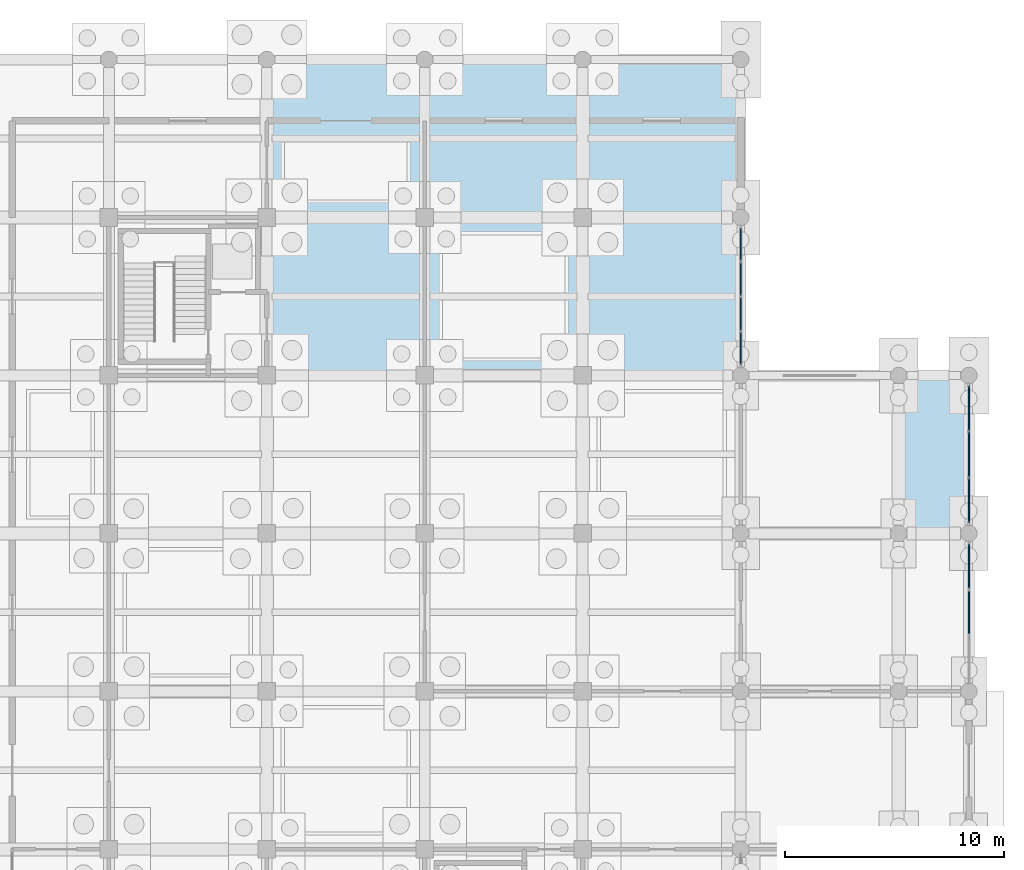
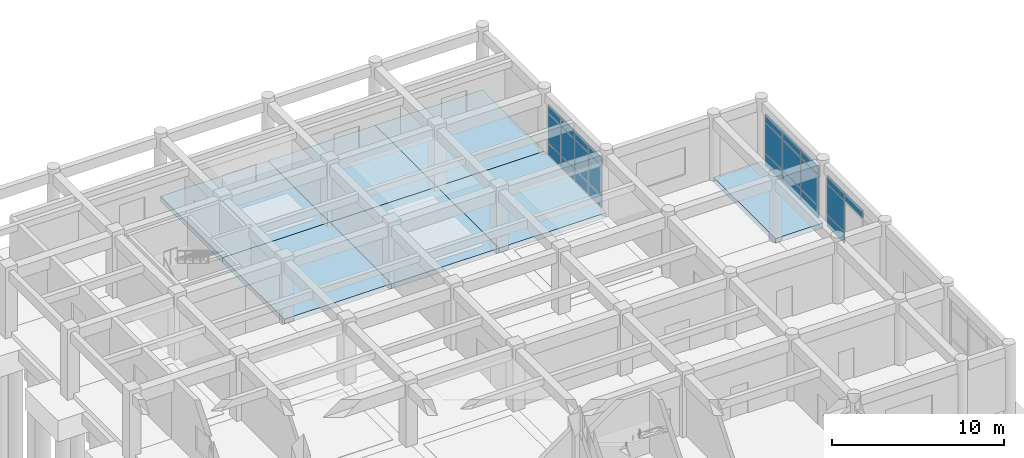
# One storey, part 52 of 79: 25 plates, 7 slabs, 3 elements without a shape of their own.
"""IFC4 building model written with IfcOpenShell, lengths in metres."""

from ifc_helpers import new_model, si_unit, direction, frame, origin, origin_2d, place, context, subcontext, project, spatial, polyline, rectangle, outline, extrude, material, layer, layer_set, type_object, element, aggregate, save


model = new_model("IFC4")

# Units and contexts
model_context = context("Model", 3, precision=1e-05, world=origin(), true_north=direction((0.0, 1.0)))
body_context = subcontext(model_context, "Body", "Model", "MODEL_VIEW")
ifc_project = project(units=[si_unit("LENGTHUNIT", "METRE"), si_unit("AREAUNIT", "SQUARE_METRE"), si_unit("VOLUMEUNIT", "CUBIC_METRE"), si_unit("PLANEANGLEUNIT", "RADIAN"), si_unit("MASSUNIT", "GRAM", prefix="KILO")], contexts=[model_context])

# Site, building, storey
site_placement = place(None, origin())
site = spatial("IfcSite", under=ifc_project, at=site_placement, CompositionType="ELEMENT")
building_placement = place(site_placement, origin())
building = spatial("IfcBuilding", under=site, at=building_placement, Name="Kavelor Marine Aquarium", CompositionType="ELEMENT")
storey_placement = place(building_placement, origin())
storey = spatial("IfcBuildingStorey", under=building, at=storey_placement, Name="L00", CompositionType="ELEMENT", Elevation=0.0)

# Curtain wall, plates
ifc_material_1 = material(Name="Thermally Broken Aluminium and Low-E Glass", Category="aluminium")
ifc_layer_1 = layer(ifc_material_1, 0.260009765625)
ifc_layer_set_1 = layer_set([ifc_layer_1], Name="CW-SYS15")
curtain_wall_type_1 = type_object("IfcCurtainWallType", Name="CW-SYS15", PredefinedType="USERDEFINED", material=ifc_layer_set_1)
curtain_wall_1_placement = place(storey_placement, origin())
curtain_wall_1 = element("IfcCurtainWall", 1, at=curtain_wall_1_placement, inside=storey, type_object=curtain_wall_type_1, Name="cw:y:L00:21_13", ObjectType="Curtain Wall", PredefinedType="USERDEFINED")
ifc_material_2 = material(Name="Solar-Control Double Low-E Glazing", Category="glass")
ifc_layer_2 = layer(ifc_material_2, 0.053955078125)
ifc_layer_set_2 = layer_set([ifc_layer_2], Name="CWP-15")
plate_type_1 = type_object("IfcPlateType", Name="CWP-15", PredefinedType="CURTAIN_PANEL", material=ifc_layer_set_2)
plate_1_placement = place(storey_placement, frame((154.39990234375, 97.6298828125, 0.06494140625), z_axis=(0.0, 0.0, 1.0), x_axis=(0.0, 1.0, 0.0)))
plate_1 = element("IfcPlate", 2, at=plate_1_placement, type_object=plate_type_1, Name="CW15 panel 1.1", PredefinedType="CURTAIN_PANEL", context=body_context, shape_type="SweptSolid", body=[
    extrude(rectangle(XDim=1.5, YDim=0.053955078125, at=origin_2d()), origin(), (0.0, 0.0, 1.0), 0.802490234375),
])
plate_2_placement = place(storey_placement, frame((154.39990234375, 97.6298828125, 0.9326171875), z_axis=(0.0, 0.0, 1.0), x_axis=(0.0, 1.0, 0.0)))
plate_2 = element("IfcPlate", 3, at=plate_2_placement, type_object=plate_type_1, Name="CW15 panel 1.2", PredefinedType="CURTAIN_PANEL", context=body_context, shape_type="SweptSolid", body=[
    extrude(rectangle(XDim=1.5, YDim=0.053955078125, at=origin_2d()), origin(), (0.0, 0.0, 1.0), 2.054931640625),
])
plate_3_placement = place(storey_placement, frame((154.39990234375, 97.6298828125, 3.052734375), z_axis=(0.0, 0.0, 1.0), x_axis=(0.0, 1.0, 0.0)))
plate_3 = element("IfcPlate", 4, at=plate_3_placement, type_object=plate_type_1, Name="CW15 panel 1.3", PredefinedType="CURTAIN_PANEL", context=body_context, shape_type="SweptSolid", body=[
    extrude(rectangle(XDim=1.5, YDim=0.053955078125, at=origin_2d()), origin(), (0.0, 0.0, 1.0), 0.552490234375),
])
plate_4_placement = place(storey_placement, frame((154.39990234375, 99.205078125, 0.06494140625), z_axis=(0.0, 0.0, 1.0), x_axis=(0.0, 1.0, 0.0)))
plate_4 = element("IfcPlate", 5, at=plate_4_placement, type_object=plate_type_1, Name="CW15 panel 2.1", PredefinedType="CURTAIN_PANEL", context=body_context, shape_type="SweptSolid", body=[
    extrude(rectangle(XDim=1.530029296875, YDim=0.053955078125, at=origin_2d()), origin(), (0.0, 0.0, 1.0), 0.802490234375),
])
plate_5_placement = place(storey_placement, frame((154.39990234375, 99.205078125, 0.9326171875), z_axis=(0.0, 0.0, 1.0), x_axis=(0.0, 1.0, 0.0)))
plate_5 = element("IfcPlate", 6, at=plate_5_placement, type_object=plate_type_1, Name="CW15 panel 2.2", PredefinedType="CURTAIN_PANEL", context=body_context, shape_type="SweptSolid", body=[
    extrude(rectangle(XDim=1.530029296875, YDim=0.053955078125, at=origin_2d()), origin(), (0.0, 0.0, 1.0), 2.054931640625),
])
plate_6_placement = place(storey_placement, frame((154.39990234375, 99.205078125, 3.052734375), z_axis=(0.0, 0.0, 1.0), x_axis=(0.0, 1.0, 0.0)))
plate_6 = element("IfcPlate", 7, at=plate_6_placement, type_object=plate_type_1, Name="CW15 panel 2.3", PredefinedType="CURTAIN_PANEL", context=body_context, shape_type="SweptSolid", body=[
    extrude(rectangle(XDim=1.530029296875, YDim=0.053955078125, at=origin_2d()), origin(), (0.0, 0.0, 1.0), 0.552490234375),
])
plate_7_placement = place(storey_placement, frame((154.39990234375, 100.794921875, 0.06494140625), z_axis=(0.0, 0.0, 1.0), x_axis=(0.0, 1.0, 0.0)))
plate_7 = element("IfcPlate", 8, at=plate_7_placement, type_object=plate_type_1, Name="CW15 panel 3.1", PredefinedType="CURTAIN_PANEL", context=body_context, shape_type="SweptSolid", body=[
    extrude(rectangle(XDim=1.530029296875, YDim=0.053955078125, at=origin_2d()), origin(), (0.0, 0.0, 1.0), 0.802490234375),
])
plate_8_placement = place(storey_placement, frame((154.39990234375, 100.794921875, 0.9326171875), z_axis=(0.0, 0.0, 1.0), x_axis=(0.0, 1.0, 0.0)))
plate_8 = element("IfcPlate", 9, at=plate_8_placement, type_object=plate_type_1, Name="CW15 panel 3.2", PredefinedType="CURTAIN_PANEL", context=body_context, shape_type="SweptSolid", body=[
    extrude(rectangle(XDim=1.530029296875, YDim=0.053955078125, at=origin_2d()), origin(), (0.0, 0.0, 1.0), 2.054931640625),
])
plate_9_placement = place(storey_placement, frame((154.39990234375, 100.794921875, 3.052734375), z_axis=(0.0, 0.0, 1.0), x_axis=(0.0, 1.0, 0.0)))
plate_9 = element("IfcPlate", 10, at=plate_9_placement, type_object=plate_type_1, Name="CW15 panel 3.3", PredefinedType="CURTAIN_PANEL", context=body_context, shape_type="SweptSolid", body=[
    extrude(rectangle(XDim=1.530029296875, YDim=0.053955078125, at=origin_2d()), origin(), (0.0, 0.0, 1.0), 0.552490234375),
])
plate_10_placement = place(storey_placement, frame((154.39990234375, 102.3701171875, 0.06494140625), z_axis=(0.0, 0.0, 1.0), x_axis=(0.0, 1.0, 0.0)))
plate_10 = element("IfcPlate", 11, at=plate_10_placement, type_object=plate_type_1, Name="CW15 panel 4.1", PredefinedType="CURTAIN_PANEL", context=body_context, shape_type="SweptSolid", body=[
    extrude(rectangle(XDim=1.5, YDim=0.053955078125, at=origin_2d()), origin(), (0.0, 0.0, 1.0), 0.802490234375),
])
plate_11_placement = place(storey_placement, frame((154.39990234375, 102.3701171875, 0.9326171875), z_axis=(0.0, 0.0, 1.0), x_axis=(0.0, 1.0, 0.0)))
plate_11 = element("IfcPlate", 12, at=plate_11_placement, type_object=plate_type_1, Name="CW15 panel 4.2", PredefinedType="CURTAIN_PANEL", context=body_context, shape_type="SweptSolid", body=[
    extrude(rectangle(XDim=1.5, YDim=0.053955078125, at=origin_2d()), origin(), (0.0, 0.0, 1.0), 2.054931640625),
])
plate_12_placement = place(storey_placement, frame((154.39990234375, 102.3701171875, 3.052734375), z_axis=(0.0, 0.0, 1.0), x_axis=(0.0, 1.0, 0.0)))
plate_12 = element("IfcPlate", 13, at=plate_12_placement, type_object=plate_type_1, Name="CW15 panel 4.3", PredefinedType="CURTAIN_PANEL", context=body_context, shape_type="SweptSolid", body=[
    extrude(rectangle(XDim=1.5, YDim=0.053955078125, at=origin_2d()), origin(), (0.0, 0.0, 1.0), 0.552490234375),
])
aggregate(curtain_wall_1, [plate_1, plate_2, plate_3, plate_4, plate_5, plate_6, plate_7, plate_8, plate_9, plate_10, plate_11, plate_12])

ifc_material_3 = material(Name="Thermally Broken Aluminium and Low-E Glass", Category="aluminium")
ifc_layer_3 = layer(ifc_material_3, 0.300048828125)
ifc_layer_set_3 = layer_set([ifc_layer_3], Name="CW-SYS20")
curtain_wall_type_2 = type_object("IfcCurtainWallType", Name="CW-SYS20", PredefinedType="USERDEFINED", material=ifc_layer_set_3)
curtain_wall_2_placement = place(storey_placement, origin())
curtain_wall_2 = element("IfcCurtainWall", 14, at=curtain_wall_2_placement, inside=storey, type_object=curtain_wall_type_2, Name="cw:y:L00:23_11", ObjectType="Curtain Wall", PredefinedType="USERDEFINED")
ifc_material_4 = material(Name="Solar-Control Double Low-E Glazing", Category="glass")
ifc_layer_4 = layer(ifc_material_4, 0.06396484375)
ifc_layer_set_4 = layer_set([ifc_layer_4], Name="CWP-20")
plate_type_2 = type_object("IfcPlateType", Name="CWP-20", PredefinedType="CURTAIN_PANEL", material=ifc_layer_set_4)
plate_13_placement = place(storey_placement, frame((164.800048828125, 85.60009765625, 3.13232421875), z_axis=(0.0, 0.0, 1.0), x_axis=(0.0, 1.0, 0.0)))
plate_13 = element("IfcPlate", 15, at=plate_13_placement, type_object=plate_type_2, Name="CW20 panel 2.3", PredefinedType="CURTAIN_PANEL", context=body_context, shape_type="SweptSolid", body=[
    extrude(rectangle(XDim=2.054931640625, YDim=0.06396484375, at=origin_2d()), origin(), (0.0, 0.0, 1.0), 0.552490234375),
])
plate_14_placement = place(storey_placement, frame((164.800048828125, 87.703857421875, 0.06494140625), z_axis=(0.0, 0.0, 1.0), x_axis=(0.0, 1.0, 0.0)))
plate_14 = element("IfcPlate", 16, at=plate_14_placement, type_object=plate_type_2, Name="CW20 panel 3.1", PredefinedType="CURTAIN_PANEL", context=body_context, shape_type="SweptSolid", body=[
    extrude(rectangle(XDim=2.0224609375, YDim=0.06396484375, at=origin_2d()), origin(), (0.0, 0.0, 1.0), 0.802490234375),
])
plate_15_placement = place(storey_placement, frame((164.800048828125, 87.703857421875, 0.9326171875), z_axis=(0.0, 0.0, 1.0), x_axis=(0.0, 1.0, 0.0)))
plate_15 = element("IfcPlate", 17, at=plate_15_placement, type_object=plate_type_2, Name="CW20 panel 3.2", PredefinedType="CURTAIN_PANEL", context=body_context, shape_type="SweptSolid", body=[
    extrude(rectangle(XDim=2.0224609375, YDim=0.06396484375, at=origin_2d()), origin(), (0.0, 0.0, 1.0), 2.135009765625),
])
plate_16_placement = place(storey_placement, frame((164.800048828125, 87.703857421875, 3.13232421875), z_axis=(0.0, 0.0, 1.0), x_axis=(0.0, 1.0, 0.0)))
plate_16 = element("IfcPlate", 18, at=plate_16_placement, type_object=plate_type_2, Name="CW20 panel 3.3", PredefinedType="CURTAIN_PANEL", context=body_context, shape_type="SweptSolid", body=[
    extrude(rectangle(XDim=2.0224609375, YDim=0.06396484375, at=origin_2d()), origin(), (0.0, 0.0, 1.0), 0.552490234375),
])
aggregate(curtain_wall_2, [plate_13, plate_14, plate_15, plate_16])

ifc_material_5 = material(Name="Thermally Broken Aluminium and Low-E Glass", Category="aluminium")
ifc_layer_5 = layer(ifc_material_5, 0.30810546875)
ifc_layer_set_5 = layer_set([ifc_layer_5], Name="CW-SYS21")
curtain_wall_type_3 = type_object("IfcCurtainWallType", Name="CW-SYS21", PredefinedType="USERDEFINED", material=ifc_layer_set_5)
curtain_wall_3_placement = place(storey_placement, origin())
curtain_wall_3 = element("IfcCurtainWall", 19, at=curtain_wall_3_placement, inside=storey, type_object=curtain_wall_type_3, Name="cw:y:L00:23_12", ObjectType="Curtain Wall", PredefinedType="USERDEFINED")
ifc_material_6 = material(Name="Solar-Control Double Low-E Glazing", Category="glass")
ifc_layer_6 = layer(ifc_material_6, 0.06591796875)
ifc_layer_set_6 = layer_set([ifc_layer_6], Name="CWP-21")
plate_type_3 = type_object("IfcPlateType", Name="CWP-21", PredefinedType="CURTAIN_PANEL", material=ifc_layer_set_6)
plate_17_placement = place(storey_placement, frame((164.800048828125, 90.695068359375, 0.06494140625), z_axis=(0.0, 0.0, 1.0), x_axis=(0.0, 1.0, 0.0)))
plate_17 = element("IfcPlate", 20, at=plate_17_placement, type_object=plate_type_3, Name="CW21 panel 1.1", PredefinedType="CURTAIN_PANEL", context=body_context, shape_type="SweptSolid", body=[
    extrude(rectangle(XDim=2.030029296875, YDim=0.06591796875, at=origin_2d()), origin(), (0.0, 0.0, 1.0), 0.802490234375),
])
plate_18_placement = place(storey_placement, frame((164.800048828125, 90.695068359375, 0.9326171875), z_axis=(0.0, 0.0, 1.0), x_axis=(0.0, 1.0, 0.0)))
plate_18 = element("IfcPlate", 21, at=plate_18_placement, type_object=plate_type_3, Name="CW21 panel 1.2", PredefinedType="CURTAIN_PANEL", context=body_context, shape_type="SweptSolid", body=[
    extrude(rectangle(XDim=2.030029296875, YDim=0.06591796875, at=origin_2d()), origin(), (0.0, 0.0, 1.0), 2.135009765625),
])
plate_19_placement = place(storey_placement, frame((164.800048828125, 90.695068359375, 3.13232421875), z_axis=(0.0, 0.0, 1.0), x_axis=(0.0, 1.0, 0.0)))
plate_19 = element("IfcPlate", 22, at=plate_19_placement, type_object=plate_type_3, Name="CW21 panel 1.3", PredefinedType="CURTAIN_PANEL", context=body_context, shape_type="SweptSolid", body=[
    extrude(rectangle(XDim=2.030029296875, YDim=0.06591796875, at=origin_2d()), origin(), (0.0, 0.0, 1.0), 0.552490234375),
])
plate_20_placement = place(storey_placement, frame((164.800048828125, 92.800048828125, 0.06494140625), z_axis=(0.0, 0.0, 1.0), x_axis=(0.0, 1.0, 0.0)))
plate_20 = element("IfcPlate", 23, at=plate_20_placement, type_object=plate_type_3, Name="CW21 panel 2.1", PredefinedType="CURTAIN_PANEL", context=body_context, shape_type="SweptSolid", body=[
    extrude(rectangle(XDim=2.06005859375, YDim=0.06591796875, at=origin_2d()), origin(), (0.0, 0.0, 1.0), 0.802490234375),
])
plate_21_placement = place(storey_placement, frame((164.800048828125, 92.800048828125, 0.9326171875), z_axis=(0.0, 0.0, 1.0), x_axis=(0.0, 1.0, 0.0)))
plate_21 = element("IfcPlate", 24, at=plate_21_placement, type_object=plate_type_3, Name="CW21 panel 2.2", PredefinedType="CURTAIN_PANEL", context=body_context, shape_type="SweptSolid", body=[
    extrude(rectangle(XDim=2.06005859375, YDim=0.06591796875, at=origin_2d()), origin(), (0.0, 0.0, 1.0), 2.135009765625),
])
plate_22_placement = place(storey_placement, frame((164.800048828125, 92.800048828125, 3.13232421875), z_axis=(0.0, 0.0, 1.0), x_axis=(0.0, 1.0, 0.0)))
plate_22 = element("IfcPlate", 25, at=plate_22_placement, type_object=plate_type_3, Name="CW21 panel 2.3", PredefinedType="CURTAIN_PANEL", context=body_context, shape_type="SweptSolid", body=[
    extrude(rectangle(XDim=2.06005859375, YDim=0.06591796875, at=origin_2d()), origin(), (0.0, 0.0, 1.0), 0.552490234375),
])
plate_23_placement = place(storey_placement, frame((164.800048828125, 94.905029296875, 0.06494140625), z_axis=(0.0, 0.0, 1.0), x_axis=(0.0, 1.0, 0.0)))
plate_23 = element("IfcPlate", 26, at=plate_23_placement, type_object=plate_type_3, Name="CW21 panel 3.1", PredefinedType="CURTAIN_PANEL", context=body_context, shape_type="SweptSolid", body=[
    extrude(rectangle(XDim=2.030029296875, YDim=0.06591796875, at=origin_2d()), origin(), (0.0, 0.0, 1.0), 0.802490234375),
])
plate_24_placement = place(storey_placement, frame((164.800048828125, 94.905029296875, 0.9326171875), z_axis=(0.0, 0.0, 1.0), x_axis=(0.0, 1.0, 0.0)))
plate_24 = element("IfcPlate", 27, at=plate_24_placement, type_object=plate_type_3, Name="CW21 panel 3.2", PredefinedType="CURTAIN_PANEL", context=body_context, shape_type="SweptSolid", body=[
    extrude(rectangle(XDim=2.030029296875, YDim=0.06591796875, at=origin_2d()), origin(), (0.0, 0.0, 1.0), 2.135009765625),
])
plate_25_placement = place(storey_placement, frame((164.800048828125, 94.905029296875, 3.13232421875), z_axis=(0.0, 0.0, 1.0), x_axis=(0.0, 1.0, 0.0)))
plate_25 = element("IfcPlate", 28, at=plate_25_placement, type_object=plate_type_3, Name="CW21 panel 3.3", PredefinedType="CURTAIN_PANEL", context=body_context, shape_type="SweptSolid", body=[
    extrude(rectangle(XDim=2.030029296875, YDim=0.06591796875, at=origin_2d()), origin(), (0.0, 0.0, 1.0), 0.552490234375),
])
aggregate(curtain_wall_3, [plate_17, plate_18, plate_19, plate_20, plate_21, plate_22, plate_23, plate_24, plate_25])

# Slabs
ifc_material_7 = material(Name="Concrete C40/50", Category="concrete")
ifc_layer_7 = layer(ifc_material_7, 0.35009765625)
ifc_layer_set_7 = layer_set([ifc_layer_7], Name="SL-BS2")
slab_type = type_object("IfcSlabType", Name="SL-BS2", PredefinedType="BASESLAB", material=ifc_layer_set_7)
slab_1_placement = place(storey_placement, frame((0.0, 0.0, -0.35009765625)))
element("IfcSlab", 29, at=slab_1_placement, inside=storey, type_object=slab_type, Name="slab:L00:18_13", PredefinedType="BASESLAB", context=body_context, shape_type="SweptSolid", body=[
    extrude(outline(polyline([(132.800048828125, 96.39990234375), (140.0, 96.39990234375), (140.0, 103.60009765625), (132.800048828125, 103.60009765625), (132.800048828125, 96.39990234375)])), origin(), (0.0, 0.0, 1.0), 0.35009765625),
])
slab_2_placement = place(storey_placement, frame((0.0, 0.0, -0.35009765625)))
element("IfcSlab", 30, at=slab_2_placement, inside=storey, type_object=slab_type, Name="slab:L00:18_14", PredefinedType="BASESLAB", context=body_context, shape_type="SweptSolid", body=[
    extrude(outline(polyline([(132.800048828125, 103.60009765625), (140.0, 103.60009765625), (140.0, 110.800048828125), (132.800048828125, 110.800048828125), (132.800048828125, 103.60009765625)])), origin(), (0.0, 0.0, 1.0), 0.35009765625),
])
slab_3_placement = place(storey_placement, frame((0.0, 0.0, -0.35009765625)))
element("IfcSlab", 31, at=slab_3_placement, inside=storey, type_object=slab_type, Name="slab:L00:19_13", PredefinedType="BASESLAB", context=body_context, shape_type="SweptSolid", body=[
    extrude(outline(polyline([(140.0, 96.39990234375), (147.199951171875, 96.39990234375), (147.199951171875, 103.60009765625), (140.0, 103.60009765625), (140.0, 96.39990234375)])), origin(), (0.0, 0.0, 1.0), 0.35009765625),
])
slab_4_placement = place(storey_placement, frame((0.0, 0.0, -0.35009765625)))
element("IfcSlab", 32, at=slab_4_placement, inside=storey, type_object=slab_type, Name="slab:L00:19_14", PredefinedType="BASESLAB", context=body_context, shape_type="SweptSolid", body=[
    extrude(outline(polyline([(140.0, 103.60009765625), (147.199951171875, 103.60009765625), (147.199951171875, 110.800048828125), (140.0, 110.800048828125), (140.0, 103.60009765625)])), origin(), (0.0, 0.0, 1.0), 0.35009765625),
])
slab_5_placement = place(storey_placement, frame((0.0, 0.0, -0.35009765625)))
element("IfcSlab", 33, at=slab_5_placement, inside=storey, type_object=slab_type, Name="slab:L00:20_13", PredefinedType="BASESLAB", context=body_context, shape_type="SweptSolid", body=[
    extrude(outline(polyline([(147.199951171875, 96.39990234375), (154.39990234375, 96.39990234375), (154.39990234375, 103.60009765625), (147.199951171875, 103.60009765625), (147.199951171875, 96.39990234375)])), origin(), (0.0, 0.0, 1.0), 0.35009765625),
])
slab_6_placement = place(storey_placement, frame((0.0, 0.0, -0.35009765625)))
element("IfcSlab", 34, at=slab_6_placement, inside=storey, type_object=slab_type, Name="slab:L00:20_14", PredefinedType="BASESLAB", context=body_context, shape_type="SweptSolid", body=[
    extrude(outline(polyline([(147.199951171875, 103.60009765625), (154.39990234375, 103.60009765625), (154.39990234375, 110.800048828125), (147.199951171875, 110.800048828125), (147.199951171875, 103.60009765625)])), origin(), (0.0, 0.0, 1.0), 0.35009765625),
])
slab_7_placement = place(storey_placement, frame((0.0, 0.0, -0.35009765625)))
element("IfcSlab", 35, at=slab_7_placement, inside=storey, type_object=slab_type, Name="slab:L00:22_12", PredefinedType="BASESLAB", context=body_context, shape_type="SweptSolid", body=[
    extrude(outline(polyline([(161.60009765625, 89.199951171875), (164.800048828125, 89.199951171875), (164.800048828125, 96.39990234375), (161.60009765625, 96.39990234375), (161.60009765625, 89.199951171875)])), origin(), (0.0, 0.0, 1.0), 0.35009765625),
])

save(model, "model.ifc")
